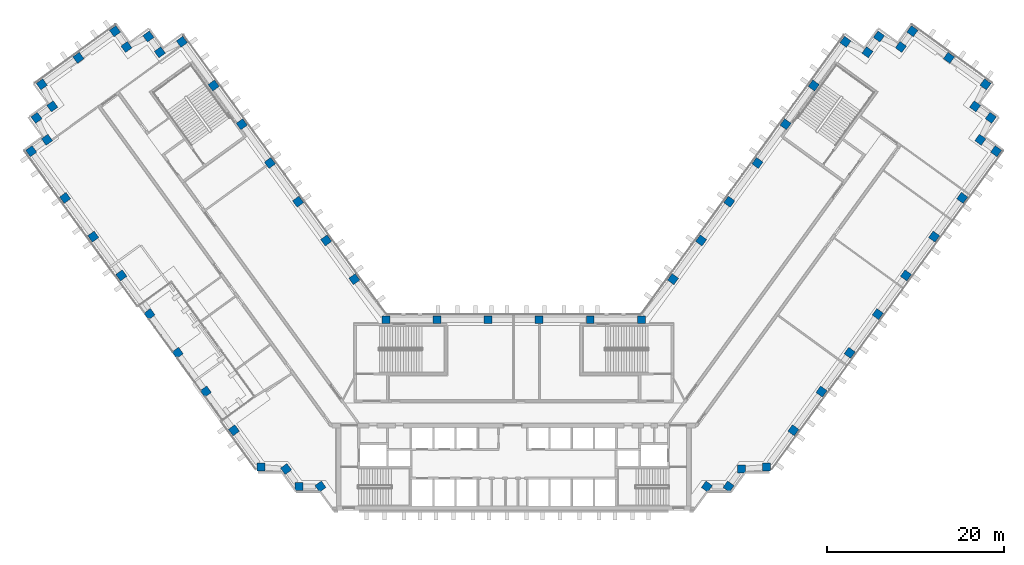
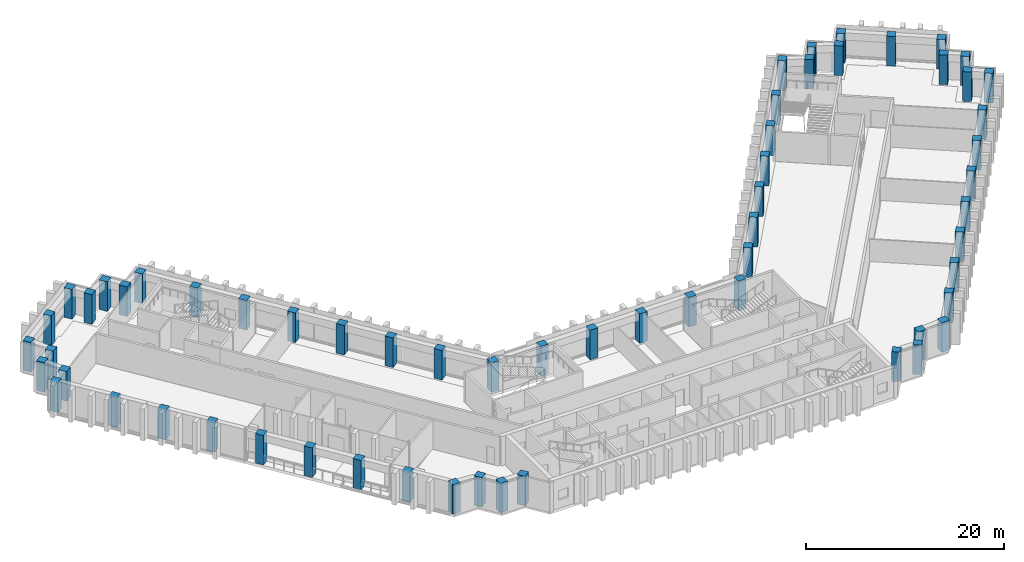
# One storey, part 1 of 16: 62 columns.
"""IFC4 building model written with IfcOpenShell, lengths in metres."""

from ifc_helpers import new_model, si_unit, direction, frame, origin, origin_2d, place, context, subcontext, project, spatial, rectangle, extrude, material, material_profile, profile_set, type_object, element, save


model = new_model("IFC4")

# Units and contexts
model_context = context("Model", 3, precision=1e-05, world=origin(), true_north=direction((0.0, 1.0)))
body_context = subcontext(model_context, "Body", "Model", "MODEL_VIEW")
ifc_project = project(units=[si_unit("LENGTHUNIT", "METRE"), si_unit("AREAUNIT", "SQUARE_METRE"), si_unit("VOLUMEUNIT", "CUBIC_METRE"), si_unit("PLANEANGLEUNIT", "RADIAN"), si_unit("MASSUNIT", "GRAM", prefix="KILO")], contexts=[model_context])

# Site, building, storey
site_placement = place(None, origin())
site = spatial("IfcSite", under=ifc_project, at=site_placement, CompositionType="ELEMENT")
building_placement = place(site_placement, origin())
building = spatial("IfcBuilding", under=site, at=building_placement, Name="Quipu Civic Tower", CompositionType="ELEMENT")
storey_placement = place(building_placement, frame((0.0, 0.0, 55.0)))
storey = spatial("IfcBuildingStorey", under=building, at=storey_placement, Name="L12", CompositionType="ELEMENT", Elevation=55.0)

# Columns
ifc_material = material(Name="Concrete C70/85", Category="concrete")
ifc_material_profile = material_profile(ifc_material, rectangle(XDim=0.89990234375, YDim=0.89990234375, at=origin_2d()), Name="RC900x900")
ifc_profile_set = profile_set([ifc_material_profile], Name="Concrete C70/85")
column_type = type_object("IfcColumnType", Name="Perimeter column RC 900x900 C70/85", PredefinedType="COLUMN", material=ifc_profile_set)
for number, where, z_axis, x_axis, name in (
    (1, (-17.9736328125, 15.074951171875, 0.0), (0.0, 0.0, 1.0), (-0.587785252292, 0.809016994375, 0.0), "Column L12 W-IN-01"),
    (2, (-21.1474609375, 19.44384765625, 0.0), (0.0, 0.0, 1.0), (-0.587785252292, 0.809016994375, 0.0), "Column L12 W-IN-02"),
    (3, (-24.3212890625, 23.8125, 0.0), (0.0, 0.0, 1.0), (-0.587785252292, 0.809016994375, 0.0), "Column L12 W-IN-03"),
    (4, (-27.4951171875, 28.181396484375, 0.0), (0.0, 0.0, 1.0), (-0.587785252292, 0.809016994375, 0.0), "Column L12 W-IN-04"),
    (5, (-30.6689453125, 32.55029296875, 0.0), (0.0, 0.0, 1.0), (-0.587785252292, 0.809016994375, 0.0), "Column L12 W-IN-05"),
    (6, (-33.843017578125, 36.919189453125, 0.0), (0.0, 0.0, 1.0), (-0.587785252292, 0.809016994375, 0.0), "Column L12 W-IN-06"),
    (7, (-37.425048828125, 41.85009765625, 0.0), (0.0, 0.0, 1.0), (-0.587785252292, 0.809016994375, 0.0), "Column L12 T-Wi.0-W50"),
    (8, (-39.905517578125, 40.666015625, 0.0), (0.0, 0.0, 1.0), (-0.587785252292, 0.809016994375, 0.0), "Column L12 T-Wi.1-W50"),
    (9, (-41.199951171875, 42.445068359375, 0.0), (0.0, 0.0, 1.0), (-0.587785252292, 0.809016994375, 0.0), "Column L12 T-Wi.2-W50"),
    (10, (-43.674560546875, 41.264892578125, 0.0), (0.0, 0.0, 1.0), (-0.809016994375, -0.587785252292, 0.0), "Column L12 T-Wi.3-W50"),
    (11, (-44.969970703125, 43.044921875, 0.0), (0.0, 0.0, 1.0), (-0.809016994375, -0.587785252292, 0.0), "Column L12 T-Wi.4-W50"),
    (12, (-49.095703125, 40.046875, 0.0), (0.0, 0.0, 1.0), (-0.809016994375, -0.587785252292, 0.0), "Column L12 TIP-W-01-W50"),
    (13, (-53.219970703125, 37.050048828125, 0.0), (0.0, 0.0, 1.0), (0.587785252292, -0.809016994375, 0.0), "Column L12 T-Wo.0-W50"),
    (14, (-52.038818359375, 34.571044921875, 0.0), (0.0, 0.0, 1.0), (-0.809016994375, -0.587785252292, 0.0), "Column L12 T-Wo.1-W50"),
    (15, (-53.820068359375, 33.27490234375, 0.0), (0.0, 0.0, 1.0), (0.587785252292, -0.809016994375, 0.0), "Column L12 T-Wo.2-W50"),
    (16, (-52.635986328125, 30.799560546875, 0.0), (0.0, 0.0, 1.0), (-0.809016994375, -0.587785252292, 0.0), "Column L12 T-Wo.3-W50"),
    (17, (-54.4150390625, 29.5048828125, 0.0), (0.0, 0.0, 1.0), (0.587785252292, -0.809016994375, 0.0), "Column L12 T-Wo.4-W50"),
    (18, (-50.59228515625, 24.243408203125, 0.0), (0.0, 0.0, 1.0), (0.587785252292, -0.809016994375, 0.0), "Column L12 W-OUT-07"),
    (19, (-47.41845703125, 19.874755859375, 0.0), (0.0, 0.0, 1.0), (0.587785252292, -0.809016994375, 0.0), "Column L12 W-OUT-06"),
    (20, (-44.244384765625, 15.506103515625, 0.0), (0.0, 0.0, 1.0), (0.587785252292, -0.809016994375, 0.0), "Column L12 W-OUT-05"),
    (21, (-41.0703125, 11.137451171875, 0.0), (0.0, 0.0, 1.0), (0.587785252292, -0.809016994375, 0.0), "Column L12 W-OUT-04"),
    (22, (-37.896240234375, 6.768798828125, 0.0), (0.0, 0.0, 1.0), (0.587785252292, -0.809016994375, 0.0), "Column L12 W-OUT-03"),
    (23, (-34.722412109375, 2.39990234375, 0.0), (0.0, 0.0, 1.0), (0.587785252292, -0.809016994375, 0.0), "Column L12 W-OUT-02"),
    (24, (-31.54833984375, -1.96875, 0.0), (0.0, 0.0, 1.0), (0.587785252292, -0.809016994375, 0.0), "Column L12 W-OUT-01"),
    (25, (-28.52490234375, -6.1298828125, 0.0), (0.0, 0.0, 1.0), (1.0, 0.0, 0.0), "Column L12 J-Wo.0"),
    (26, (-25.67431640625, -6.3369140625, 0.0), (0.0, 0.0, 1.0), (0.587785252292, -0.809016994375, 0.0), "Column L12 J-Wo.1"),
    (27, (-24.235107421875, -8.31494140625, 0.0), (0.0, 0.0, 1.0), (1.0, 0.0, 0.0), "Column L12 J-Wo.2"),
    (28, (-21.791748046875, -8.31494140625, 0.0), (0.0, 0.0, 1.0), (0.587785252292, -0.809016994375, 0.0), "Column L12 J-Wo.3"),
    (29, (21.791748046875, -8.31494140625, 0.0), (0.0, 0.0, 1.0), (0.587785252292, 0.809016994375, 0.0), "Column L12 J-Eo.1"),
    (30, (24.235107421875, -8.31494140625, 0.0), (0.0, 0.0, 1.0), (0.587785252292, 0.809016994375, 0.0), "Column L12 J-Eo.2"),
    (31, (25.67431640625, -6.3369140625, 0.0), (0.0, 0.0, 1.0), (1.0, 0.0, 0.0), "Column L12 J-Eo.3"),
    (32, (28.52490234375, -6.1298828125, 0.0), (0.0, 0.0, 1.0), (1.0, 0.0, 0.0), "Column L12 J-Eo.4"),
    (33, (31.54833984375, -1.96875, 0.0), (0.0, 0.0, 1.0), (0.587785252292, 0.809016994375, 0.0), "Column L12 E-OUT-01"),
    (34, (34.722412109375, 2.39990234375, 0.0), (0.0, 0.0, 1.0), (0.587785252292, 0.809016994375, 0.0), "Column L12 E-OUT-02"),
    (35, (37.896240234375, 6.768798828125, 0.0), (0.0, 0.0, 1.0), (0.587785252292, 0.809016994375, 0.0), "Column L12 E-OUT-03"),
    (36, (41.0703125, 11.137451171875, 0.0), (0.0, 0.0, 1.0), (0.587785252292, 0.809016994375, 0.0), "Column L12 E-OUT-04"),
    (37, (44.244384765625, 15.506103515625, 0.0), (0.0, 0.0, 1.0), (0.587785252292, 0.809016994375, 0.0), "Column L12 E-OUT-05"),
    (38, (47.41845703125, 19.874755859375, 0.0), (0.0, 0.0, 1.0), (0.587785252292, 0.809016994375, 0.0), "Column L12 E-OUT-06"),
    (39, (50.59228515625, 24.243408203125, 0.0), (0.0, 0.0, 1.0), (0.587785252292, 0.809016994375, 0.0), "Column L12 E-OUT-07"),
    (40, (54.4150390625, 29.5048828125, 0.0), (0.0, 0.0, 1.0), (0.587785252292, 0.809016994375, 0.0), "Column L12 T-Eo.0-E50"),
    (41, (52.635986328125, 30.799560546875, 0.0), (0.0, 0.0, 1.0), (-0.809016994375, 0.587785252292, 0.0), "Column L12 T-Eo.1-E50"),
    (42, (53.820068359375, 33.27490234375, 0.0), (0.0, 0.0, 1.0), (-0.809016994375, 0.587785252292, 0.0), "Column L12 T-Eo.2-E50"),
    (43, (52.038818359375, 34.571044921875, 0.0), (0.0, 0.0, 1.0), (0.587785252292, 0.809016994375, 0.0), "Column L12 T-Eo.3-E50"),
    (44, (53.219970703125, 37.050048828125, 0.0), (0.0, 0.0, 1.0), (-0.809016994375, 0.587785252292, 0.0), "Column L12 T-Eo.4-E50"),
    (45, (49.095703125, 40.046875, 0.0), (0.0, 0.0, 1.0), (-0.809016994375, 0.587785252292, 0.0), "Column L12 TIP-E-01-E50"),
    (46, (44.969970703125, 43.044921875, 0.0), (0.0, 0.0, 1.0), (-0.809016994375, 0.587785252292, 0.0), "Column L12 T-Ei.0-E50"),
    (47, (43.674560546875, 41.264892578125, 0.0), (0.0, 0.0, 1.0), (-0.809016994375, 0.587785252292, 0.0), "Column L12 T-Ei.1-E50"),
    (48, (41.199951171875, 42.445068359375, 0.0), (0.0, 0.0, 1.0), (-0.587785252292, -0.809016994375, 0.0), "Column L12 T-Ei.2-E50"),
    (49, (39.905517578125, 40.666015625, 0.0), (0.0, 0.0, 1.0), (-0.587785252292, -0.809016994375, 0.0), "Column L12 T-Ei.3-E50"),
    (50, (37.425048828125, 41.85009765625, 0.0), (0.0, 0.0, 1.0), (-0.587785252292, -0.809016994375, 0.0), "Column L12 T-Ei.4-E50"),
    (51, (33.843017578125, 36.919189453125, 0.0), (0.0, 0.0, 1.0), (-0.587785252292, -0.809016994375, 0.0), "Column L12 E-IN-06"),
    (52, (30.6689453125, 32.55029296875, 0.0), (0.0, 0.0, 1.0), (-0.587785252292, -0.809016994375, 0.0), "Column L12 E-IN-05"),
    (53, (27.4951171875, 28.181396484375, 0.0), (0.0, 0.0, 1.0), (-0.587785252292, -0.809016994375, 0.0), "Column L12 E-IN-04"),
    (54, (24.3212890625, 23.8125, 0.0), (0.0, 0.0, 1.0), (-0.587785252292, -0.809016994375, 0.0), "Column L12 E-IN-03"),
    (55, (21.1474609375, 19.44384765625, 0.0), (0.0, 0.0, 1.0), (-0.587785252292, -0.809016994375, 0.0), "Column L12 E-IN-02"),
    (56, (17.9736328125, 15.074951171875, 0.0), (0.0, 0.0, 1.0), (-0.587785252292, -0.809016994375, 0.0), "Column L12 E-IN-01"),
    (57, (14.395263671875, 10.5, 0.0), (0.0, 0.0, 1.0), (-1.0, 0.0, 0.0), "Column L12 J-Ei.0"),
    (58, (8.63720703125, 10.5, 0.0), (0.0, 0.0, 1.0), (-1.0, 0.0, 0.0), "Column L12 FRONT-01"),
    (59, (2.87890625, 10.5, 0.0), (0.0, 0.0, 1.0), (-1.0, 0.0, 0.0), "Column L12 FRONT-02"),
    (60, (-2.87890625, 10.5, 0.0), (0.0, 0.0, 1.0), (-1.0, 0.0, 0.0), "Column L12 FRONT-03"),
    (61, (-8.63720703125, 10.5, 0.0), (0.0, 0.0, 1.0), (-1.0, 0.0, 0.0), "Column L12 FRONT-04"),
    (62, (-14.395263671875, 10.5, 0.0), (0.0, 0.0, 1.0), (-1.0, 0.0, 0.0), "Column L12 J-Wi.0"),
):
    element("IfcColumn", number, at=place(storey_placement, frame(where, z_axis=z_axis, x_axis=x_axis)), inside=storey, type_object=column_type, Name=name, PredefinedType="COLUMN", context=body_context, shape_type="SweptSolid", body=[
        extrude(rectangle(XDim=0.89990234375, YDim=0.89990234375, at=origin_2d()), origin(), (0.0, 0.0, 1.0), 3.64990234375),
    ])

save(model, "model.ifc")
